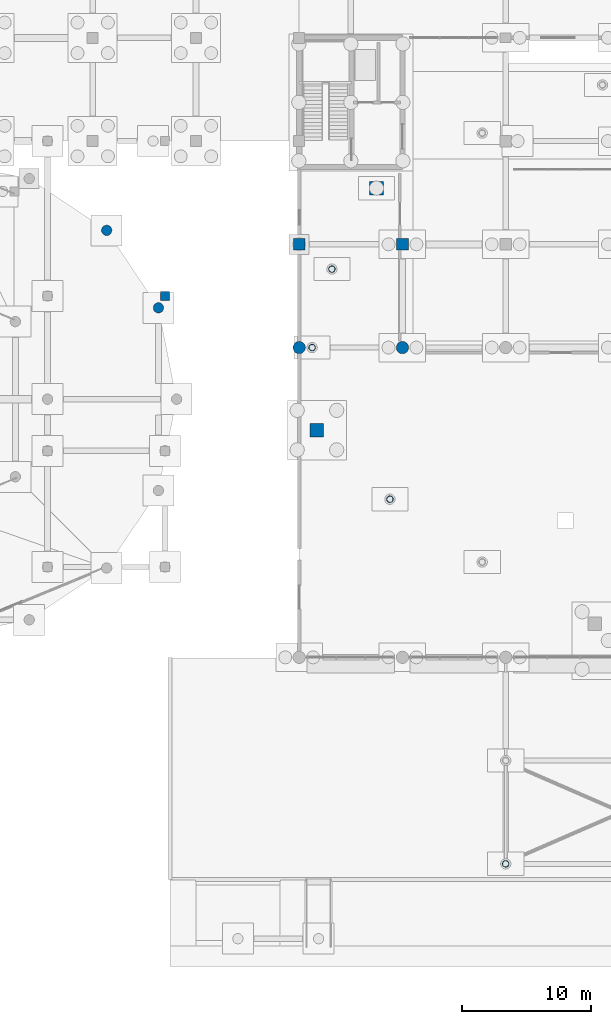
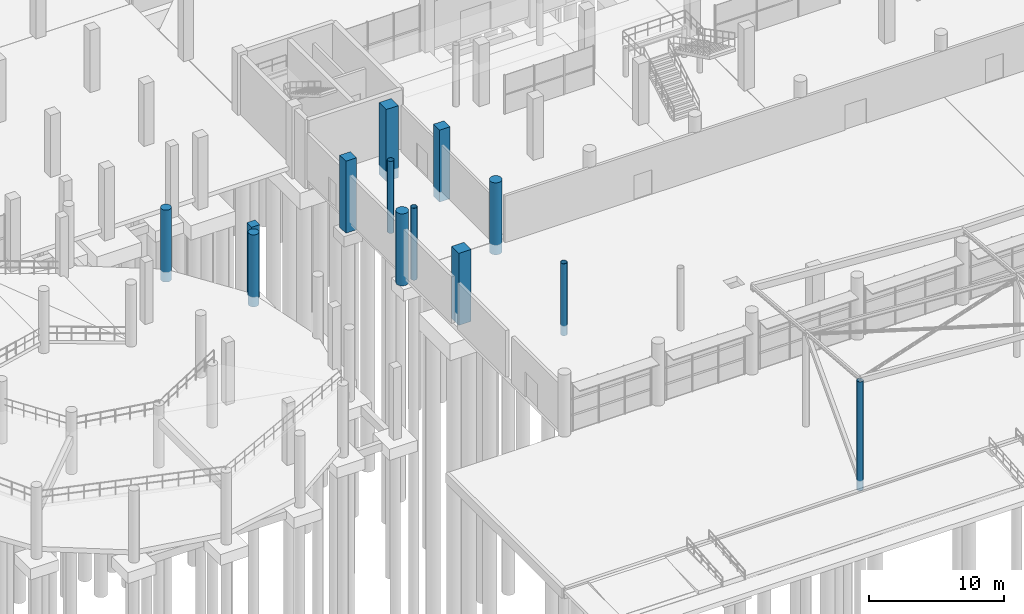
# One storey, part 15 of 98: 13 columns.
"""IFC4 building model written with IfcOpenShell, lengths in metres."""

from ifc_helpers import new_model, si_unit, derived_unit, direction, frame, origin, origin_2d, place, context, subcontext, project, spatial, rectangle, circle, hollow_circle, extrude, material, material_profile, profile_set, type_object, element, save


model = new_model("IFC4")

# Units and contexts
model_context = context("Model", 3, precision=1e-05, world=origin(), true_north=direction((0.0, 1.0)))
body_context = subcontext(model_context, "Body", "Model", "MODEL_VIEW")
ifc_project = project(units=[si_unit("LENGTHUNIT", "METRE"), si_unit("AREAUNIT", "SQUARE_METRE"), si_unit("VOLUMEUNIT", "CUBIC_METRE"), si_unit("PLANEANGLEUNIT", "RADIAN"), si_unit("MASSUNIT", "GRAM", prefix="KILO"), si_unit("THERMODYNAMICTEMPERATUREUNIT", "KELVIN"), derived_unit("THERMALTRANSMITTANCEUNIT", [(si_unit("POWERUNIT", "WATT"), 1), (si_unit("AREAUNIT", "SQUARE_METRE"), -1), (si_unit("THERMODYNAMICTEMPERATUREUNIT", "KELVIN"), -1)])], contexts=[model_context])

# Site, building, storey
site_placement = place(None, origin())
site = spatial("IfcSite", under=ifc_project, at=site_placement, CompositionType="ELEMENT")
building_placement = place(site_placement, origin())
building = spatial("IfcBuilding", under=site, at=building_placement, Name="Haiyu Intermodal Mobility Hub", CompositionType="ELEMENT")
storey_placement = place(building_placement, origin())
storey = spatial("IfcBuildingStorey", under=building, at=storey_placement, Name="L00", CompositionType="ELEMENT", Elevation=0.0)

# Columns
ifc_material_1 = material(Name="Concrete C40", Category="concrete")
ifc_material_profile_1 = material_profile(ifc_material_1, rectangle(XDim=0.89990234375, YDim=0.89990234375, at=origin_2d()), Name="RC900x900")
ifc_profile_set_1 = profile_set([ifc_material_profile_1], Name="Concrete C40")
column_type_1 = type_object("IfcColumnType", Name="COL-CC06", PredefinedType="COLUMN", material=ifc_profile_set_1)
for number, where, z_axis, x_axis, name in (
    (1, (62.0, 72.0, -0.89990234375), (0.0, 0.0, 1.0), (1.0, 0.0, 0.0), "Column V1-7H L00"),
    (2, (70.0, 72.0, -0.89990234375), (0.0, 0.0, 1.0), (1.0, 0.0, 0.0), "Column V1-8H L00"),
):
    element("IfcColumn", number, at=place(storey_placement, frame(where, z_axis=z_axis, x_axis=x_axis)), inside=storey, type_object=column_type_1, Name=name, PredefinedType="COLUMN", context=body_context, shape_type="SweptSolid", body=[
        extrude(rectangle(XDim=0.89990234375, YDim=0.89990234375, at=origin_2d()), origin(), (0.0, 0.0, 1.0), 6.5),
    ])
ifc_material_profile_2 = material_profile(ifc_material_1, rectangle(XDim=0.699951171875, YDim=0.699951171875, at=origin_2d()), Name="RC700x700")
ifc_profile_set_2 = profile_set([ifc_material_profile_2], Name="Concrete C40")
column_type_2 = type_object("IfcColumnType", Name="COL-CC08", PredefinedType="COLUMN", material=ifc_profile_set_2)
column_1_placement = place(storey_placement, frame((51.60009765625, 68.0, -0.89990234375), z_axis=(0.0, 0.0, 1.0), x_axis=(1.0, 0.0, 0.0)))
element("IfcColumn", 3, at=column_1_placement, inside=storey, type_object=column_type_2, Name="Column V2L-3 L00", PredefinedType="COLUMN", context=body_context, shape_type="SweptSolid", body=[
    extrude(rectangle(XDim=0.699951171875, YDim=0.699951171875, at=origin_2d()), origin(), (0.0, 0.0, 1.0), 6.5),
])
ifc_material_profile_3 = material_profile(ifc_material_1, rectangle(XDim=1.050048828125, YDim=1.050048828125, at=origin_2d()), Name="RC1050x1050")
ifc_profile_set_3 = profile_set([ifc_material_profile_3], Name="Concrete C40")
column_type_3 = type_object("IfcColumnType", Name="COL-CC12-EXT", PredefinedType="COLUMN", material=ifc_profile_set_3)
for number, where, z_axis, x_axis, name in (
    (4, (67.989990234375, 76.35009765625, -0.89990234375), (0.0, 0.0, 1.0), (1.0, 0.0, 0.0), "Column MP-04 L00"),
    (5, (63.3740234375, 57.60693359375, -0.89990234375), (0.0, 0.0, 1.0), (1.0, 0.0, 0.0), "Column MP-05 L00"),
):
    element("IfcColumn", number, at=place(storey_placement, frame(where, z_axis=z_axis, x_axis=x_axis)), inside=storey, type_object=column_type_3, Name=name, PredefinedType="COLUMN", context=body_context, shape_type="SweptSolid", body=[
        extrude(rectangle(XDim=1.050048828125, YDim=1.050048828125, at=origin_2d()), origin(), (0.0, 0.0, 1.0), 6.5),
    ])
ifc_material_profile_4 = material_profile(ifc_material_1, circle(Radius=0.39990234375, at=origin_2d()), Name="RCCOL-D800")
ifc_profile_set_4 = profile_set([ifc_material_profile_4], Name="Concrete C40")
column_type_4 = type_object("IfcColumnType", Name="COL-CR01-EXT", PredefinedType="COLUMN", material=ifc_profile_set_4)
for number, where, z_axis, x_axis, name in (
    (6, (51.092041015625, 67.080078125, -0.89990234375), (0.0, 0.0, 1.0), (1.0, 0.0, 0.0), "Column V2O-02 L00"),
    (7, (47.0810546875, 73.0810546875, -0.89990234375), (0.0, 0.0, 1.0), (1.0, 0.0, 0.0), "Column V2O-03 L00"),
):
    element("IfcColumn", number, at=place(storey_placement, frame(where, z_axis=z_axis, x_axis=x_axis)), inside=storey, type_object=column_type_4, Name=name, PredefinedType="COLUMN", context=body_context, shape_type="SweptSolid", body=[
        extrude(circle(Radius=0.39990234375, at=origin_2d()), origin(), (0.0, 0.0, 1.0), 6.5),
    ])
ifc_material_profile_5 = material_profile(ifc_material_1, circle(Radius=0.47509765625, at=origin_2d()), Name="RCCOL-D950")
ifc_profile_set_5 = profile_set([ifc_material_profile_5], Name="Concrete C40")
column_type_5 = type_object("IfcColumnType", Name="COL-CR03", PredefinedType="COLUMN", material=ifc_profile_set_5)
for number, where, z_axis, x_axis, name in (
    (8, (62.0, 64.0, -0.89990234375), (0.0, 0.0, 1.0), (1.0, 0.0, 0.0), "Column V1-7G L00"),
    (9, (70.0, 64.0, -0.89990234375), (0.0, 0.0, 1.0), (1.0, 0.0, 0.0), "Column V1-8G L00"),
):
    element("IfcColumn", number, at=place(storey_placement, frame(where, z_axis=z_axis, x_axis=x_axis)), inside=storey, type_object=column_type_5, Name=name, PredefinedType="COLUMN", context=body_context, shape_type="SweptSolid", body=[
        extrude(circle(Radius=0.47509765625, at=origin_2d()), origin(), (0.0, 0.0, 1.0), 6.5),
    ])
ifc_material_2 = material(Name="Steel Q355C", Category="steel")
ifc_material_profile_6 = material_profile(ifc_material_2, hollow_circle(Radius=0.25390625, WallThickness=0.01611328125, at=origin_2d()), Name="CHS508x16")
ifc_profile_set_6 = profile_set([ifc_material_profile_6], Name="Steel Q355C")
column_type_6 = type_object("IfcColumnType", Name="COL-SC02-EXT", PredefinedType="COLUMN", material=ifc_profile_set_6)
for number, where, z_axis, x_axis, name in (
    (10, (64.532958984375, 70.08203125, -0.89990234375), (0.0, 0.0, 1.0), (1.0, 0.0, 0.0), "Column RCOL-12 L00"),
    (11, (63.0, 64.0, -0.89990234375), (0.0, 0.0, 1.0), (1.0, 0.0, 0.0), "Column RCOL-13 L00"),
    (12, (69.029052734375, 52.25, -0.89990234375), (0.0, 0.0, 1.0), (1.0, 0.0, 0.0), "Column RCOL-15 L00"),
):
    element("IfcColumn", number, at=place(storey_placement, frame(where, z_axis=z_axis, x_axis=x_axis)), inside=storey, type_object=column_type_6, Name=name, PredefinedType="COLUMN", context=body_context, shape_type="SweptSolid", body=[
        extrude(hollow_circle(Radius=0.25390625, WallThickness=0.01611328125, at=origin_2d()), origin(), (0.0, 0.0, 1.0), 6.5),
    ])
column_2_placement = place(storey_placement, frame((78.0, 24.0, -0.89990234375), z_axis=(0.0, 0.0, 1.0), x_axis=(1.0, 0.0, 0.0)))
element("IfcColumn", 13, at=column_2_placement, inside=storey, type_object=column_type_6, Name="Column CAN-9B L00", PredefinedType="COLUMN", context=body_context, shape_type="SweptSolid", body=[
    extrude(hollow_circle(Radius=0.25390625, WallThickness=0.01611328125, at=origin_2d()), origin(), (0.0, 0.0, 1.0), 9.829833984375),
])

save(model, "model.ifc")
